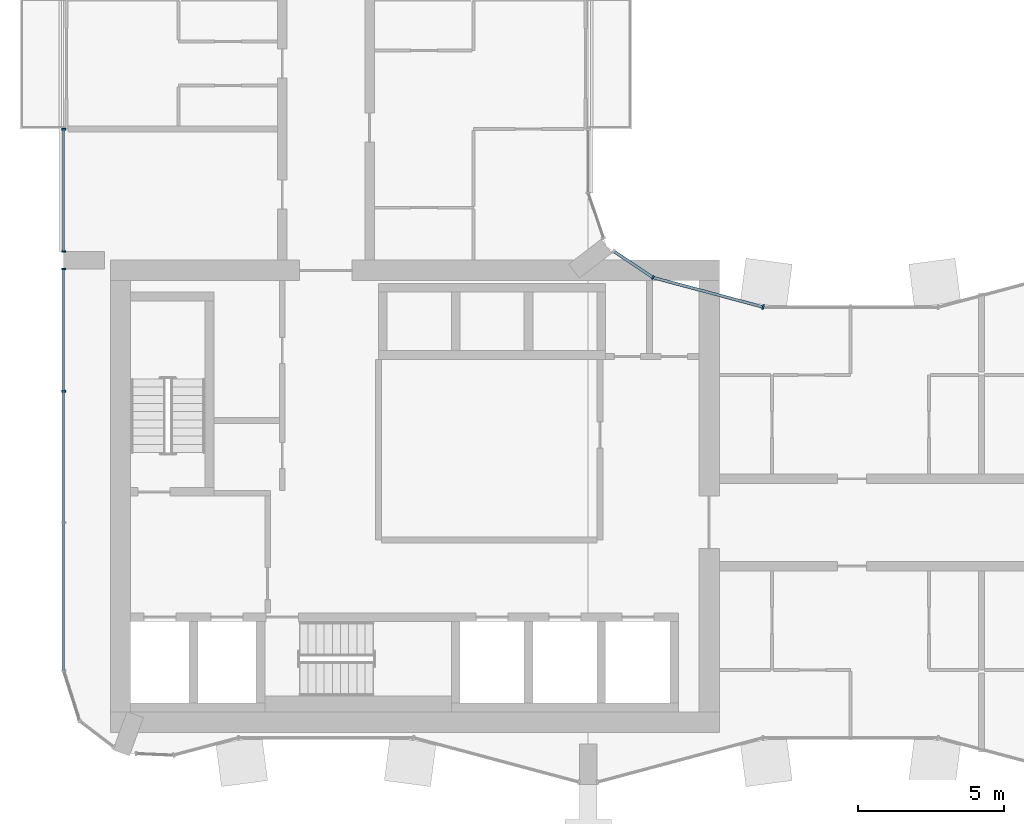
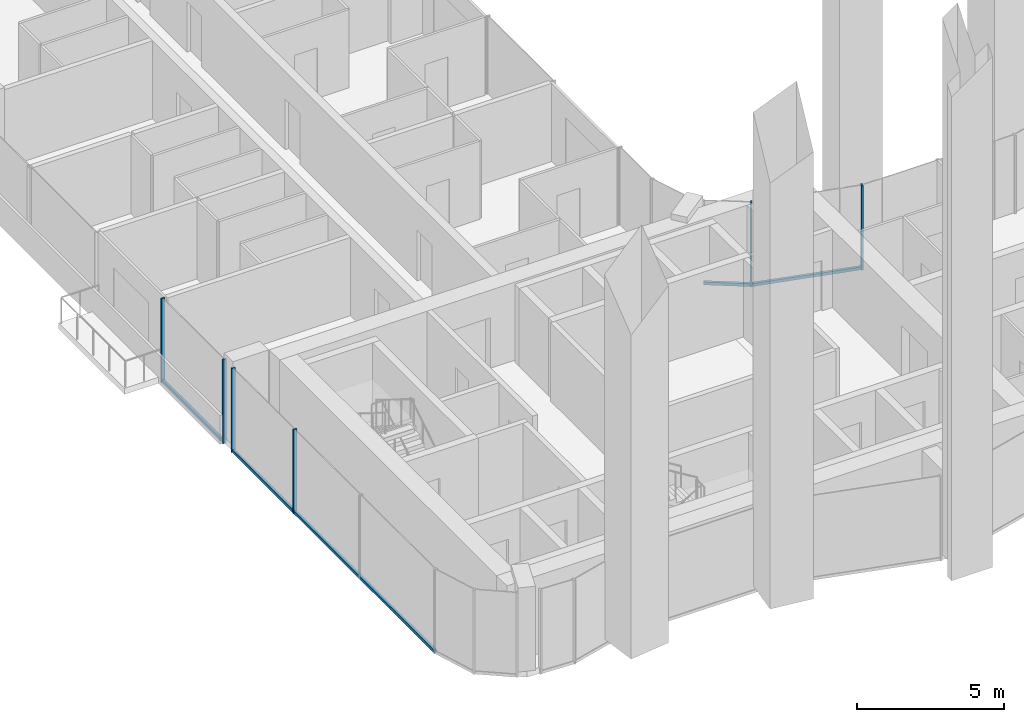
# One storey, part 3 of 27: 10 members, 4 elements without a shape of their own.
"""IFC4 building model written with IfcOpenShell, lengths in metres."""

from ifc_helpers import new_model, si_unit, direction, frame, origin, origin_2d, place, context, subcontext, project, spatial, rectangle, extrude, material, layer, layer_set, material_profile, profile_set, type_object, element, aggregate, save


model = new_model("IFC4")

# Units and contexts
model_context = context("Model", 3, precision=1e-05, world=origin(), true_north=direction((0.0, 1.0)))
body_context = subcontext(model_context, "Body", "Model", "MODEL_VIEW")
ifc_project = project(units=[si_unit("LENGTHUNIT", "METRE"), si_unit("AREAUNIT", "SQUARE_METRE"), si_unit("VOLUMEUNIT", "CUBIC_METRE"), si_unit("PLANEANGLEUNIT", "RADIAN"), si_unit("MASSUNIT", "GRAM", prefix="KILO")], contexts=[model_context])

# Site, building, storey
site_placement = place(None, origin())
site = spatial("IfcSite", under=ifc_project, at=site_placement, CompositionType="ELEMENT")
building_placement = place(site_placement, origin())
building = spatial("IfcBuilding", under=site, at=building_placement, Name="Plateau Cross Towers", CompositionType="ELEMENT")
storey_placement = place(building_placement, frame((0.0, 0.0, 78.300048828125)))
storey = spatial("IfcBuildingStorey", under=building, at=storey_placement, Name="L19", CompositionType="ELEMENT", Elevation=78.300048828125)

# Curtain wall, member
ifc_material_1 = material(Name="Dark low-iron glass", Category="glass")
ifc_layer_1 = layer(ifc_material_1, 0.239990234375)
ifc_layer_set_1 = layer_set([ifc_layer_1], Name="Dark low-iron glass")
curtain_wall_type_1 = type_object("IfcCurtainWallType", Name="Curtain wall flush unitised CW-B", PredefinedType="NOTDEFINED", material=ifc_layer_set_1)
curtain_wall_1_placement = place(storey_placement, origin())
curtain_wall_1 = element("IfcCurtainWall", 1, at=curtain_wall_1_placement, inside=storey, type_object=curtain_wall_type_1, Name="ENV/A/L19/A202_174", PredefinedType="NOTDEFINED")
ifc_material_2 = material(Name="Black anodised aluminium", Category="aluminium")
ifc_material_profile_1 = material_profile(ifc_material_2, rectangle(XDim=0.06005859375, YDim=0.139892578125, at=origin_2d()), Name="MULLION 60x140")
ifc_profile_set_1 = profile_set([ifc_material_profile_1], Name="Black anodised aluminium")
member_type_1 = type_object("IfcMemberType", Name="Mullion 60x140 flush unitised", PredefinedType="MULLION", material=ifc_profile_set_1)
member_1_placement = place(storey_placement, frame((20.223876953125, 17.404296875, -0.25), z_axis=(0.0, 0.0, 1.0), x_axis=(-0.831521253329, 0.555492938984, 0.0)))
member_1 = element("IfcMember", 2, at=member_1_placement, type_object=member_type_1, Name="CW-B mullion 1", PredefinedType="MULLION", context=body_context, shape_type="SweptSolid", body=[
    extrude(rectangle(XDim=0.06005859375, YDim=0.139892578125, at=origin_2d()), origin(), (0.0, 0.0, 1.0), 3.5),
])

# Curtain wall, members
curtain_wall_2_placement = place(storey_placement, origin())
curtain_wall_2 = element("IfcCurtainWall", 3, at=curtain_wall_2_placement, inside=storey, type_object=curtain_wall_type_1, Name="ENV/A/L19/A0_225", PredefinedType="NOTDEFINED")
member_2_placement = place(storey_placement, frame((0.0, 22.489990234375, -0.25), z_axis=(0.0, 0.0, 1.0), x_axis=(0.0, -1.0, 0.0)))
member_2 = element("IfcMember", 4, at=member_2_placement, type_object=member_type_1, Name="CW-B mullion 1", PredefinedType="MULLION", context=body_context, shape_type="SweptSolid", body=[
    extrude(rectangle(XDim=0.06005859375, YDim=0.139892578125, at=origin_2d()), origin(), (0.0, 0.0, 1.0), 3.5),
])
member_3_placement = place(storey_placement, frame((0.0, 18.300048828125, -0.25), z_axis=(0.0, 0.0, 1.0), x_axis=(0.0, -1.0, 0.0)))
member_3 = element("IfcMember", 5, at=member_3_placement, type_object=member_type_1, Name="CW-B mullion 2", PredefinedType="MULLION", context=body_context, shape_type="SweptSolid", body=[
    extrude(rectangle(XDim=0.06005859375, YDim=0.139892578125, at=origin_2d()), origin(), (0.0, 0.0, 1.0), 3.5),
])

curtain_wall_3_placement = place(storey_placement, origin())
curtain_wall_3 = element("IfcCurtainWall", 6, at=curtain_wall_3_placement, inside=storey, type_object=curtain_wall_type_1, Name="ENV/A/L19/A0_177", PredefinedType="NOTDEFINED")
member_4_placement = place(storey_placement, frame((0.0, 17.699951171875, -0.25), z_axis=(0.0, 0.0, 1.0), x_axis=(0.0, -1.0, 0.0)))
member_4 = element("IfcMember", 7, at=member_4_placement, type_object=member_type_1, Name="CW-B mullion 1", PredefinedType="MULLION", context=body_context, shape_type="SweptSolid", body=[
    extrude(rectangle(XDim=0.06005859375, YDim=0.139892578125, at=origin_2d()), origin(), (0.0, 0.0, 1.0), 3.5),
])
member_5_placement = place(storey_placement, frame((0.0, 13.5, -0.25), z_axis=(0.0, 0.0, 1.0), x_axis=(0.0, -1.0, 0.0)))
member_5 = element("IfcMember", 8, at=member_5_placement, type_object=member_type_1, Name="CW-B mullion 2", PredefinedType="MULLION", context=body_context, shape_type="SweptSolid", body=[
    extrude(rectangle(XDim=0.06005859375, YDim=0.139892578125, at=origin_2d()), origin(), (0.0, 0.0, 1.0), 3.5),
])

# Curtain wall, member
ifc_layer_2 = layer(ifc_material_1, 0.260009765625)
ifc_layer_set_2 = layer_set([ifc_layer_2], Name="Dark low-iron glass")
curtain_wall_type_2 = type_object("IfcCurtainWallType", Name="Curtain wall fluted unitised CW-A", PredefinedType="NOTDEFINED", material=ifc_layer_set_2)
curtain_wall_4_placement = place(storey_placement, origin())
curtain_wall_4 = element("IfcCurtainWall", 9, at=curtain_wall_4_placement, inside=storey, type_object=curtain_wall_type_2, Name="ENV/A/L19/A240_164", PredefinedType="NOTDEFINED")
ifc_material_profile_2 = material_profile(ifc_material_2, rectangle(XDim=0.06005859375, YDim=0.159912109375, at=origin_2d()), Name="MULLION 60x160")
ifc_profile_set_2 = profile_set([ifc_material_profile_2], Name="Black anodised aluminium")
member_type_2 = type_object("IfcMemberType", Name="Mullion 60x160 fluted unitised", PredefinedType="MULLION", material=ifc_profile_set_2)
member_6_placement = place(storey_placement, frame((24.0, 16.39306640625, -0.25), z_axis=(0.0, 0.0, 1.0), x_axis=(-0.965957995816, 0.258698956933, 0.0)))
member_6 = element("IfcMember", 10, at=member_6_placement, type_object=member_type_2, Name="CW-A mullion 1", PredefinedType="MULLION", context=body_context, shape_type="SweptSolid", body=[
    extrude(rectangle(XDim=0.06005859375, YDim=0.159912109375, at=origin_2d()), origin(), (0.0, 0.0, 1.0), 3.5),
])

# Member
ifc_material_profile_3 = material_profile(ifc_material_2, rectangle(XDim=0.10009765625, YDim=0.1201171875, at=origin_2d()), Name="TRANSOM 100x120")
ifc_profile_set_3 = profile_set([ifc_material_profile_3], Name="Black anodised aluminium")
member_type_3 = type_object("IfcMemberType", Name="Transom 100x120 flush unitised", PredefinedType="USERDEFINED", material=ifc_profile_set_3)
member_7_placement = place(storey_placement, frame((20.223876953125, 17.404296875, -0.18994140625), z_axis=(-0.831496402487, 0.555530136582, 0.0), x_axis=(-0.555530136582, -0.831496402487, 0.0)))
member_7 = element("IfcMember", 11, at=member_7_placement, type_object=member_type_3, Name="CW-B transom", ObjectType="TRANSOM", PredefinedType="USERDEFINED", context=body_context, shape_type="SweptSolid", body=[
    extrude(rectangle(XDim=0.10009765625, YDim=0.1201171875, at=origin_2d()), origin(), (0.0, 0.0, 1.0), 1.628662109375),
])

aggregate(curtain_wall_1, [member_1, member_7])

member_8_placement = place(storey_placement, frame((0.0, 22.489990234375, -0.18994140625), z_axis=(0.0, -1.0, 0.0), x_axis=(1.0, 0.0, 0.0)))
member_8 = element("IfcMember", 12, at=member_8_placement, type_object=member_type_3, Name="CW-B transom", ObjectType="TRANSOM", PredefinedType="USERDEFINED", context=body_context, shape_type="SweptSolid", body=[
    extrude(rectangle(XDim=0.10009765625, YDim=0.1201171875, at=origin_2d()), origin(), (0.0, 0.0, 1.0), 4.18994140625),
])

aggregate(curtain_wall_2, [member_2, member_3, member_8])

member_9_placement = place(storey_placement, frame((0.0, 17.699951171875, -0.18994140625), z_axis=(0.0, -1.0, 0.0), x_axis=(1.0, 0.0, 0.0)))
member_9 = element("IfcMember", 13, at=member_9_placement, type_object=member_type_3, Name="CW-B transom", ObjectType="TRANSOM", PredefinedType="USERDEFINED", context=body_context, shape_type="SweptSolid", body=[
    extrude(rectangle(XDim=0.10009765625, YDim=0.1201171875, at=origin_2d()), origin(), (0.0, 0.0, 1.0), 13.790771484375),
])

aggregate(curtain_wall_3, [member_4, member_5, member_9])

ifc_material_profile_4 = material_profile(ifc_material_2, rectangle(XDim=0.10009765625, YDim=0.1201171875, at=origin_2d()), Name="TRANSOM 100x120")
ifc_profile_set_4 = profile_set([ifc_material_profile_4], Name="Black anodised aluminium")
member_type_4 = type_object("IfcMemberType", Name="Transom 100x120 fluted unitised", PredefinedType="USERDEFINED", material=ifc_profile_set_4)
member_10_placement = place(storey_placement, frame((24.0, 16.39306640625, -0.18994140625), z_axis=(-0.965962822393, 0.25868093427, 0.0), x_axis=(-0.25868093427, -0.965962822393, 0.0)))
member_10 = element("IfcMember", 14, at=member_10_placement, type_object=member_type_4, Name="CW-A transom", ObjectType="TRANSOM", PredefinedType="USERDEFINED", context=body_context, shape_type="SweptSolid", body=[
    extrude(rectangle(XDim=0.10009765625, YDim=0.1201171875, at=origin_2d()), origin(), (0.0, 0.0, 1.0), 3.9091796875),
])

aggregate(curtain_wall_4, [member_6, member_10])

save(model, "model.ifc")
